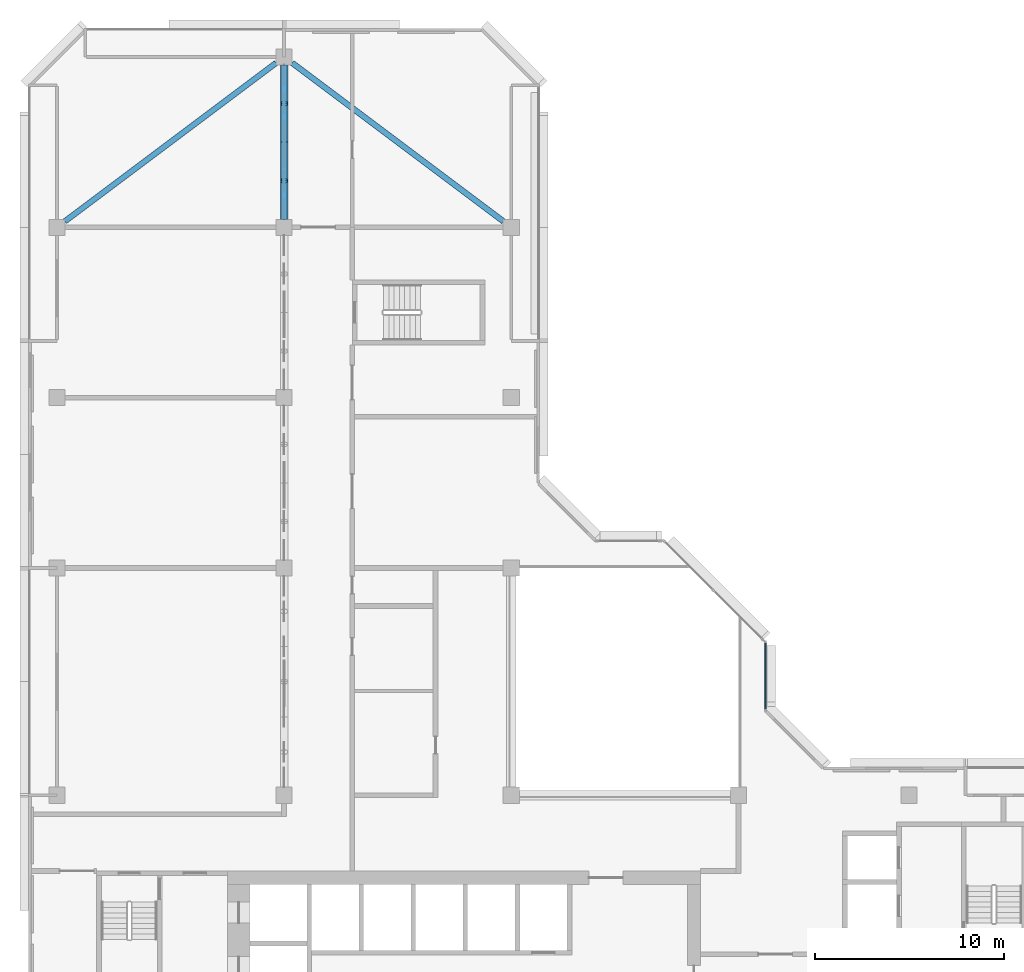
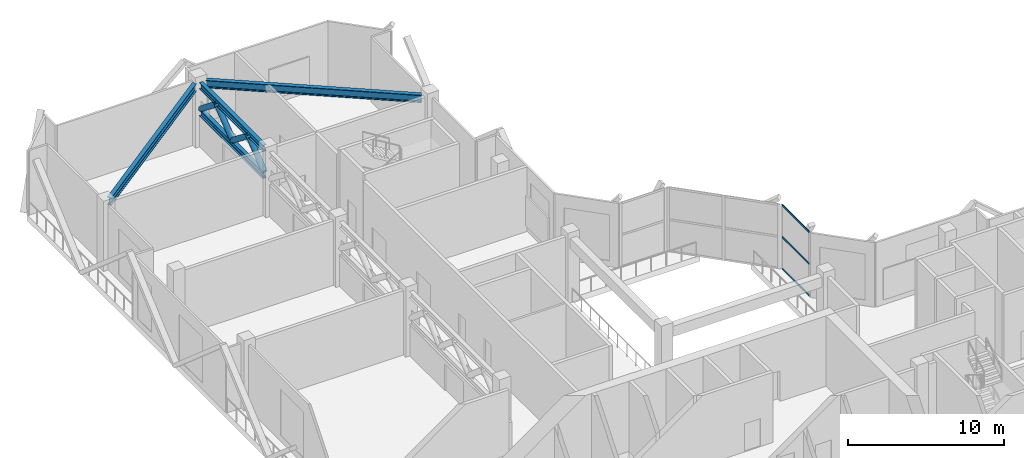
# One storey, part 3 of 14: 7 members, 4 beams, 1 element without a shape of its own.
"""IFC4 building model written with IfcOpenShell, lengths in metres."""

from ifc_helpers import new_model, si_unit, direction, frame, origin, origin_2d, place, context, subcontext, project, spatial, rectangle, hollow_circle, i_section, extrude, material, layer, layer_set, material_profile, profile_set, type_object, element, aggregate, save


model = new_model("IFC4")

# Units and contexts
model_context = context("Model", 3, precision=1e-05, world=origin(), true_north=direction((0.0, 1.0)))
body_context = subcontext(model_context, "Body", "Model", "MODEL_VIEW")
ifc_project = project(units=[si_unit("LENGTHUNIT", "METRE"), si_unit("AREAUNIT", "SQUARE_METRE"), si_unit("VOLUMEUNIT", "CUBIC_METRE"), si_unit("PLANEANGLEUNIT", "RADIAN"), si_unit("MASSUNIT", "GRAM", prefix="KILO")], contexts=[model_context])

# Site, building, storey
site_placement = place(None, origin())
site = spatial("IfcSite", under=ifc_project, at=site_placement, CompositionType="ELEMENT")
building_placement = place(site_placement, origin())
building = spatial("IfcBuilding", under=site, at=building_placement, Name="Chenar Terraces", CompositionType="ELEMENT")
storey_placement = place(building_placement, frame((0.0, 0.0, 256.64990234375)))
storey = spatial("IfcBuildingStorey", under=building, at=storey_placement, Name="L61", CompositionType="ELEMENT", Elevation=256.64990234375)

# Curtain wall, members
ifc_material_1 = material(Name="Aluminium framed glazing", Category="aluminium")
ifc_layer = layer(ifc_material_1, 0.14990234375)
ifc_layer_set = layer_set([ifc_layer], Name="Aluminium framed glazing")
curtain_wall_type = type_object("IfcCurtainWallType", Name="Atrium mid-zone curtain wall", PredefinedType="NOTDEFINED", material=ifc_layer_set)
curtain_wall_placement = place(storey_placement, origin())
curtain_wall = element("IfcCurtainWall", 1, at=curtain_wall_placement, inside=storey, type_object=curtain_wall_type, Name="Atrium mid-zone curtain wall", PredefinedType="NOTDEFINED")
ifc_material_2 = material(Name="Aluminium", Category="aluminium")
ifc_material_profile_1 = material_profile(ifc_material_2, rectangle(XDim=0.070068359375, YDim=0.139892578125, at=origin_2d()), Name="Atrium mid-zone glazing transom 70 x 140")
ifc_profile_set_1 = profile_set([ifc_material_profile_1], Name="Aluminium")
member_type_1 = type_object("IfcMemberType", Name="Atrium mid-zone glazing transom 70 x 140", PredefinedType="USERDEFINED", material=ifc_profile_set_1)
member_1_placement = place(storey_placement, frame((37.425048828125, 28.570068359375, 0.03515625), z_axis=(0.0, 1.0, 0.0), x_axis=(-1.0, 0.0, 0.0)))
member_1 = element("IfcMember", 2, at=member_1_placement, type_object=member_type_1, Name="CW7-1 transom 1.1", ObjectType="TRANSOM", PredefinedType="USERDEFINED", context=body_context, shape_type="SweptSolid", body=[
    extrude(rectangle(XDim=0.070068359375, YDim=0.139892578125, at=origin_2d()), origin(), (0.0, 0.0, 1.0), 3.4599609375),
])
member_2_placement = place(storey_placement, frame((37.425048828125, 28.570068359375, 2.525146484375), z_axis=(0.0, 1.0, 0.0), x_axis=(-1.0, 0.0, 0.0)))
member_2 = element("IfcMember", 3, at=member_2_placement, type_object=member_type_1, Name="CW7-1 transom 1.2", ObjectType="TRANSOM", PredefinedType="USERDEFINED", context=body_context, shape_type="SweptSolid", body=[
    extrude(rectangle(XDim=0.070068359375, YDim=0.139892578125, at=origin_2d()), origin(), (0.0, 0.0, 1.0), 3.4599609375),
])
member_3_placement = place(storey_placement, frame((37.425048828125, 28.570068359375, 5.01513671875), z_axis=(0.0, 1.0, 0.0), x_axis=(-1.0, 0.0, 0.0)))
member_3 = element("IfcMember", 4, at=member_3_placement, type_object=member_type_1, Name="CW7-1 transom 1.3", ObjectType="TRANSOM", PredefinedType="USERDEFINED", context=body_context, shape_type="SweptSolid", body=[
    extrude(rectangle(XDim=0.070068359375, YDim=0.139892578125, at=origin_2d()), origin(), (0.0, 0.0, 1.0), 3.4599609375),
])
aggregate(curtain_wall, [member_1, member_2, member_3])

# Beams
ifc_material_3 = material(Name="Structural steel S355", Category="steel")
ifc_material_profile_2 = material_profile(ifc_material_3, i_section(OverallWidth=0.300048828125, OverallDepth=0.5, WebThickness=0.014404296875, FlangeThickness=0.028076171875, FilletRadius=0.027099609375, at=origin_2d()), Name="HEB 500")
ifc_profile_set_2 = profile_set([ifc_material_profile_2], Name="Structural steel S355")
beam_type_1 = type_object("IfcBeamType", Name="Belt truss chord HEB 500 S355", PredefinedType="BEAM", material=ifc_profile_set_2)
for number, where, z_axis, x_axis, name in (
    (5, (12.0, 54.425048828125, 4.800048828125), (0.0, 1.0, 0.0), (-1.0, 0.0, 0.0), "Belt truss L61 B4 top chord"),
    (6, (12.0, 54.425048828125, 2.7001953125), (0.0, 1.0, 0.0), (-1.0, 0.0, 0.0), "Belt truss L61 B4 bottom chord"),
):
    element("IfcBeam", number, at=place(storey_placement, frame(where, z_axis=z_axis, x_axis=x_axis)), inside=storey, type_object=beam_type_1, Name=name, PredefinedType="BEAM", context=body_context, shape_type="SweptSolid", body=[
        extrude(i_section(OverallWidth=0.300048828125, OverallDepth=0.5, WebThickness=0.014404296875, FlangeThickness=0.028076171875, FilletRadius=0.027099609375, at=origin_2d()), origin(), (0.0, 0.0, 1.0), 8.14990234375),
    ])

# Members
ifc_material_4 = material(Name="Structural steel S355", Category="steel")
ifc_material_profile_3 = material_profile(ifc_material_4, hollow_circle(Radius=0.203125, WallThickness=0.01611328125, at=origin_2d()), Name="CHS 406.4x16")
ifc_profile_set_3 = profile_set([ifc_material_profile_3], Name="Structural steel S355")
member_type_2 = type_object("IfcMemberType", Name="Belt truss diagonal CHS 406.4x16 S355", PredefinedType="BRACE", material=ifc_profile_set_3)
member_4_placement = place(storey_placement, frame((12.0, 54.425048828125, 2.9501953125), z_axis=(0.0, 0.786491639204, 0.617600924111), x_axis=(-1.0, 0.0, 0.0)))
element("IfcMember", 7, at=member_4_placement, inside=storey, type_object=member_type_2, Name="Belt truss L61 B4 diagonal 1", PredefinedType="BRACE", context=body_context, shape_type="SweptSolid", body=[
    extrude(hollow_circle(Radius=0.203125, WallThickness=0.01611328125, at=origin_2d()), origin(), (0.0, 0.0, 1.0), 2.59033203125),
])
for number, where, z_axis, x_axis, name in (
    (8, (12.0, 56.46240234375, 4.550048828125), (0.0, 0.786527583945, -0.617555147087), (-1.0, 0.0, 0.0), "Belt truss L61 B4 diagonal 2"),
    (9, (12.0, 58.5, 2.9501953125), (0.0, 0.786527583945, 0.617555147087), (-1.0, 0.0, 0.0), "Belt truss L61 B4 diagonal 3"),
):
    element("IfcMember", number, at=place(storey_placement, frame(where, z_axis=z_axis, x_axis=x_axis)), inside=storey, type_object=member_type_2, Name=name, PredefinedType="BRACE", context=body_context, shape_type="SweptSolid", body=[
        extrude(hollow_circle(Radius=0.203125, WallThickness=0.01611328125, at=origin_2d()), origin(), (0.0, 0.0, 1.0), 2.590576171875),
    ])
member_5_placement = place(storey_placement, frame((12.0, 60.53759765625, 4.550048828125), z_axis=(0.0, 0.786491639204, -0.617600924111), x_axis=(-1.0, 0.0, 0.0)))
element("IfcMember", 10, at=member_5_placement, inside=storey, type_object=member_type_2, Name="Belt truss L61 B4 diagonal 4", PredefinedType="BRACE", context=body_context, shape_type="SweptSolid", body=[
    extrude(hollow_circle(Radius=0.203125, WallThickness=0.01611328125, at=origin_2d()), origin(), (0.0, 0.0, 1.0), 2.59033203125),
])

# Beams
ifc_material_5 = material(Name="Structural steel S355", Category="steel")
ifc_material_profile_4 = material_profile(ifc_material_5, i_section(OverallWidth=0.300048828125, OverallDepth=0.60009765625, WebThickness=0.015380859375, FlangeThickness=0.030029296875, FilletRadius=0.027099609375, at=origin_2d()), Name="HEB 600")
ifc_profile_set_4 = profile_set([ifc_material_profile_4], Name="Structural steel S355")
beam_type_2 = type_object("IfcBeamType", Name="Terrace girder HEB 600 S355", PredefinedType="BEAM", material=ifc_profile_set_4)
for number, where, z_axis, x_axis, name in (
    (11, (0.425048828125, 54.31884765625, 4.75), (0.800004204075, 0.599994394526, 0.0), (-0.599994394526, 0.800004204075, 0.0), "Terrace girder L62 1"),
    (12, (23.574951171875, 54.31884765625, 4.75), (-0.800004204075, 0.599994394526, 0.0), (-0.599994394526, -0.800004204075, 0.0), "Terrace girder L62 2"),
):
    element("IfcBeam", number, at=place(storey_placement, frame(where, z_axis=z_axis, x_axis=x_axis)), inside=storey, type_object=beam_type_2, Name=name, PredefinedType="BEAM", context=body_context, shape_type="SweptSolid", body=[
        extrude(i_section(OverallWidth=0.300048828125, OverallDepth=0.60009765625, WebThickness=0.015380859375, FlangeThickness=0.030029296875, FilletRadius=0.027099609375, at=origin_2d()), origin(), (0.0, 0.0, 1.0), 13.937255859375),
    ])

save(model, "model.ifc")
